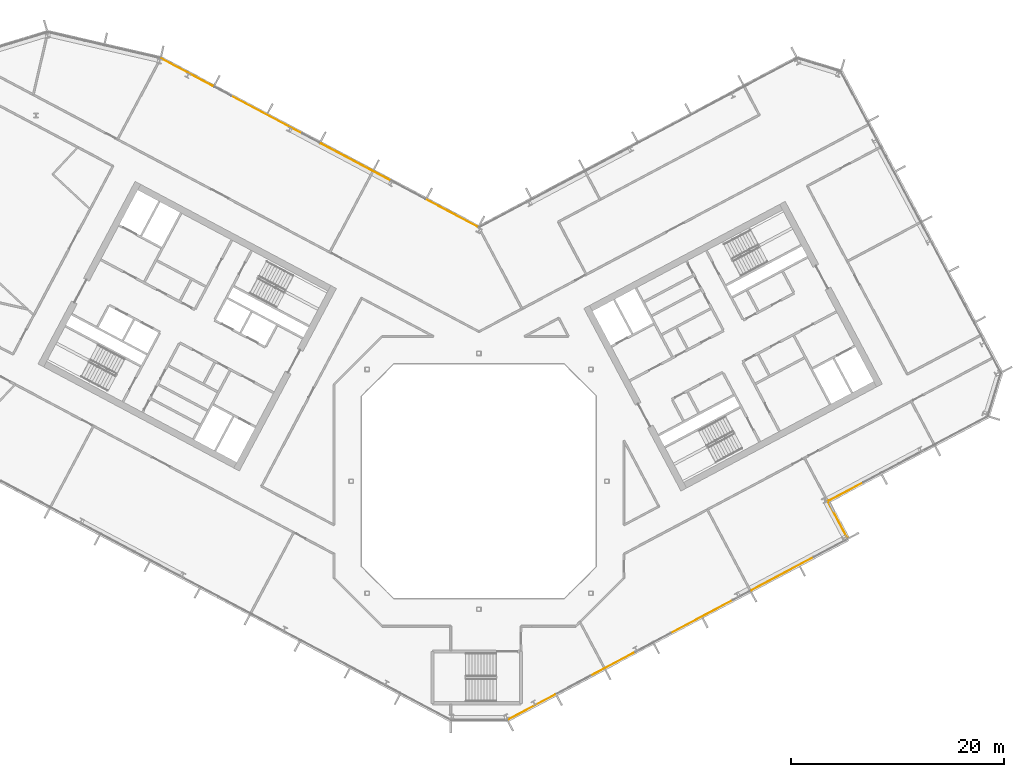
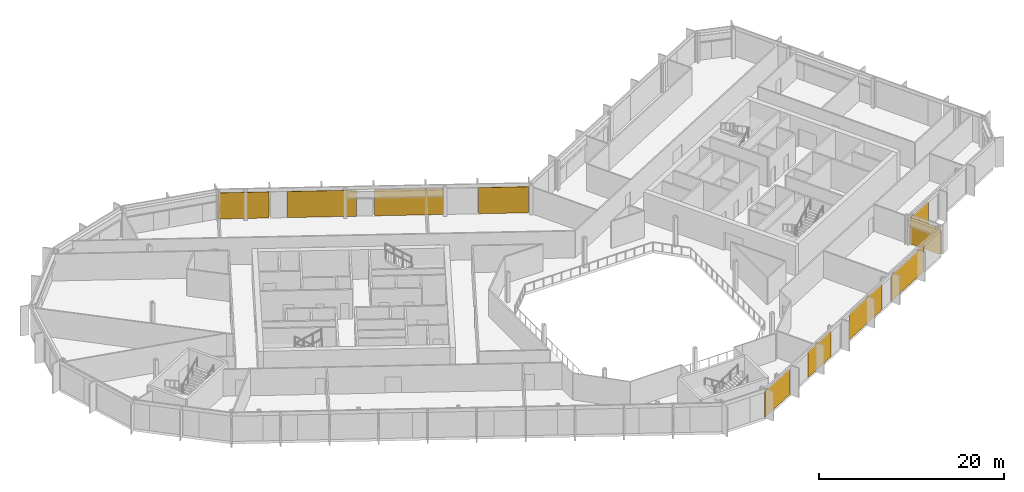
# One storey, part 23 of 26: 10 coverings, 4 elements without a shape of their own.
"""IFC4 building model written with IfcOpenShell, lengths in metres."""

from ifc_helpers import new_model, si_unit, direction, frame, origin, origin_2d, place, context, subcontext, project, spatial, rectangle, extrude, material, layer, layer_set, type_object, element, aggregate, save


model = new_model("IFC4")

# Units and contexts
model_context = context("Model", 3, precision=1e-05, world=origin(), true_north=direction((0.0, 1.0)))
body_context = subcontext(model_context, "Body", "Model", "MODEL_VIEW")
ifc_project = project(units=[si_unit("LENGTHUNIT", "METRE"), si_unit("AREAUNIT", "SQUARE_METRE"), si_unit("VOLUMEUNIT", "CUBIC_METRE"), si_unit("PLANEANGLEUNIT", "RADIAN"), si_unit("MASSUNIT", "GRAM", prefix="KILO")], contexts=[model_context])

# Site, building, storey
site_placement = place(None, origin())
site = spatial("IfcSite", under=ifc_project, at=site_placement, CompositionType="ELEMENT")
building_placement = place(site_placement, origin())
building = spatial("IfcBuilding", under=site, at=building_placement, Name="Cormorant Relay Tower", CompositionType="ELEMENT")
storey_placement = place(building_placement, frame((0.0, 0.0, 236.39990234375)))
storey = spatial("IfcBuildingStorey", under=building, at=storey_placement, Name="L52", CompositionType="ELEMENT", Elevation=236.39990234375)

# Curtain wall, coverings
ifc_material_1 = material(Name="Aluminium 6063-T6 anodised bronze", Category="aluminium")
ifc_layer_1 = layer(ifc_material_1, 0.199951171875)
ifc_layer_set_1 = layer_set([ifc_layer_1], Name="CW1 unitised bronze curtain wall with vertical fins")
curtain_wall_type = type_object("IfcCurtainWallType", Name="CW1 unitised bronze curtain wall with vertical fins", PredefinedType="NOTDEFINED", material=ifc_layer_set_1)
curtain_wall_1_placement = place(storey_placement, origin())
curtain_wall_1 = element("IfcCurtainWall", 1, at=curtain_wall_1_placement, inside=storey, type_object=curtain_wall_type, Name="CW1 curtain wall 2", PredefinedType="NOTDEFINED")
ifc_material_2 = material(Name="Pale bronze anodised aluminium insulated panel", Category="aluminium")
ifc_layer_2 = layer(ifc_material_2, 0.0400390625)
ifc_layer_set_2 = layer_set([ifc_layer_2], Name="CW1 pale bronze insulated panel 40")
covering_type = type_object("IfcCoveringType", Name="CW1 pale bronze insulated panel 40", PredefinedType="CLADDING", material=ifc_layer_set_2)
covering_1_placement = place(storey_placement, frame((4.939208984375, -21.180419921875, 0.0), z_axis=(0.0, 0.0, 1.0), x_axis=(0.882947592859, 0.469471562786, 0.0)))
covering_1 = element("IfcCovering", 2, at=covering_1_placement, type_object=covering_type, Name="CW1 panel S00", PredefinedType="CLADDING", context=body_context, shape_type="SweptSolid", body=[
    extrude(rectangle(XDim=5.0166015625, YDim=0.0400390625, at=origin_2d()), origin(), (0.0, 0.0, 1.0), 3.449951171875),
])
covering_2_placement = place(storey_placement, frame((12.576416015625, -17.11962890625, 0.0), z_axis=(0.0, 0.0, 1.0), x_axis=(0.882947592859, 0.469471562786, 0.0)))
covering_2 = element("IfcCovering", 3, at=covering_2_placement, type_object=covering_type, Name="CW1 panel S02", PredefinedType="CLADDING", context=body_context, shape_type="SweptSolid", body=[
    extrude(rectangle(XDim=4.783203125, YDim=0.0400390625, at=origin_2d()), origin(), (0.0, 0.0, 1.0), 3.449951171875),
])
covering_3_placement = place(storey_placement, frame((20.905517578125, -12.69091796875, 0.0), z_axis=(0.0, 0.0, 1.0), x_axis=(0.882947592859, 0.469471562786, 0.0)))
covering_3 = element("IfcCovering", 4, at=covering_3_placement, type_object=covering_type, Name="CW1 panel S05", PredefinedType="CLADDING", context=body_context, shape_type="SweptSolid", body=[
    extrude(rectangle(XDim=6.5830078125, YDim=0.0400390625, at=origin_2d()), origin(), (0.0, 0.0, 1.0), 3.449951171875),
])
covering_4_placement = place(storey_placement, frame((28.472900390625, -8.667236328125, 0.0), z_axis=(0.0, 0.0, 1.0), x_axis=(0.882947592859, 0.469471562786, 0.0)))
covering_4 = element("IfcCovering", 5, at=covering_4_placement, type_object=covering_type, Name="CW1 panel S07", PredefinedType="CLADDING", context=body_context, shape_type="SweptSolid", body=[
    extrude(rectangle(XDim=6.658203125, YDim=0.0400390625, at=origin_2d()), origin(), (0.0, 0.0, 1.0), 3.449951171875),
])
aggregate(curtain_wall_1, [covering_1, covering_2, covering_3, covering_4])

# Curtain wall, covering
curtain_wall_2_placement = place(storey_placement, origin())
curtain_wall_2 = element("IfcCurtainWall", 6, at=curtain_wall_2_placement, inside=storey, type_object=curtain_wall_type, Name="CW1 curtain wall 3", PredefinedType="NOTDEFINED")
covering_5_placement = place(storey_placement, frame((33.642578125, -3.58837890625, 0.0), z_axis=(0.0, 0.0, 1.0), x_axis=(-0.469471562786, 0.882947592859, 0.0)))
covering_5 = element("IfcCovering", 7, at=covering_5_placement, type_object=covering_type, Name="CW1 panel S00", PredefinedType="CLADDING", context=body_context, shape_type="SweptSolid", body=[
    extrude(rectangle(XDim=3.925048828125, YDim=0.0400390625, at=origin_2d()), origin(), (0.0, 0.0, 1.0), 3.449951171875),
])
aggregate(curtain_wall_2, [covering_5])

curtain_wall_3_placement = place(storey_placement, origin())
curtain_wall_3 = element("IfcCurtainWall", 8, at=curtain_wall_3_placement, inside=storey, type_object=curtain_wall_type, Name="CW1 curtain wall 4", PredefinedType="NOTDEFINED")
covering_6_placement = place(storey_placement, frame((34.453125, -0.957275390625, 0.0), z_axis=(0.0, 0.0, 1.0), x_axis=(0.882947592859, 0.469471562786, 0.0)))
covering_6 = element("IfcCovering", 9, at=covering_6_placement, type_object=covering_type, Name="CW1 panel S00", PredefinedType="CLADDING", context=body_context, shape_type="SweptSolid", body=[
    extrude(rectangle(XDim=3.6416015625, YDim=0.0400390625, at=origin_2d()), origin(), (0.0, 0.0, 1.0), 3.449951171875),
])
aggregate(curtain_wall_3, [covering_6])

# Curtain wall, coverings
curtain_wall_4_placement = place(storey_placement, origin())
curtain_wall_4 = element("IfcCurtainWall", 10, at=curtain_wall_4_placement, inside=storey, type_object=curtain_wall_type, Name="CW1 curtain wall 9", PredefinedType="NOTDEFINED")
covering_7_placement = place(storey_placement, frame((-2.51318359375, 25.142822265625, 0.0), z_axis=(0.0, 0.0, 1.0), x_axis=(-0.882947592859, 0.469471562786, 0.0)))
covering_7 = element("IfcCovering", 11, at=covering_7_placement, type_object=covering_type, Name="CW1 panel S00", PredefinedType="CLADDING", context=body_context, shape_type="SweptSolid", body=[
    extrude(rectangle(XDim=5.4140625, YDim=0.0400390625, at=origin_2d()), origin(), (0.0, 0.0, 1.0), 3.449951171875),
])
covering_8_placement = place(storey_placement, frame((-11.537841796875, 29.94140625, 0.0), z_axis=(0.0, 0.0, 1.0), x_axis=(-0.882947592859, 0.469471562786, 0.0)))
covering_8 = element("IfcCovering", 12, at=covering_8_placement, type_object=covering_type, Name="CW1 panel S02", PredefinedType="CLADDING", context=body_context, shape_type="SweptSolid", body=[
    extrude(rectangle(XDim=7.528076171875, YDim=0.0400390625, at=origin_2d()), origin(), (0.0, 0.0, 1.0), 3.449951171875),
])
covering_9_placement = place(storey_placement, frame((-19.906494140625, 34.39111328125, 0.0), z_axis=(0.0, 0.0, 1.0), x_axis=(-0.882947592859, 0.469471562786, 0.0)))
covering_9 = element("IfcCovering", 13, at=covering_9_placement, type_object=covering_type, Name="CW1 panel S04", PredefinedType="CLADDING", context=body_context, shape_type="SweptSolid", body=[
    extrude(rectangle(XDim=7.528076171875, YDim=0.0400390625, at=origin_2d()), origin(), (0.0, 0.0, 1.0), 3.449951171875),
])
covering_10_placement = place(storey_placement, frame((-27.407958984375, 38.379638671875, 0.0), z_axis=(0.0, 0.0, 1.0), x_axis=(-0.882947592859, 0.469471562786, 0.0)))
covering_10 = element("IfcCovering", 14, at=covering_10_placement, type_object=covering_type, Name="CW1 panel S06", PredefinedType="CLADDING", context=body_context, shape_type="SweptSolid", body=[
    extrude(rectangle(XDim=5.56396484375, YDim=0.0400390625, at=origin_2d()), origin(), (0.0, 0.0, 1.0), 3.449951171875),
])
aggregate(curtain_wall_4, [covering_7, covering_8, covering_9, covering_10])

save(model, "model.ifc")
